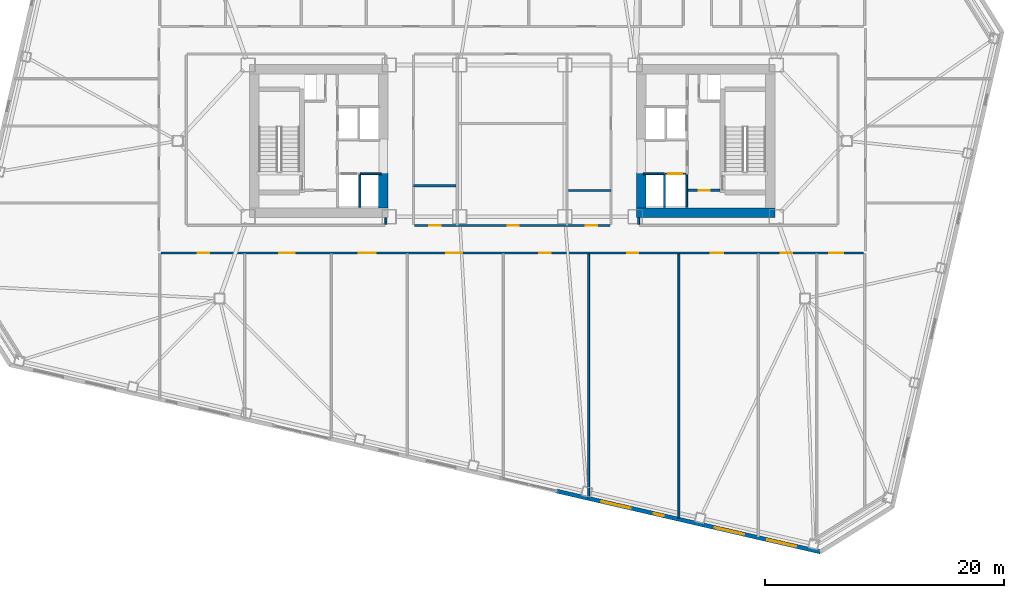
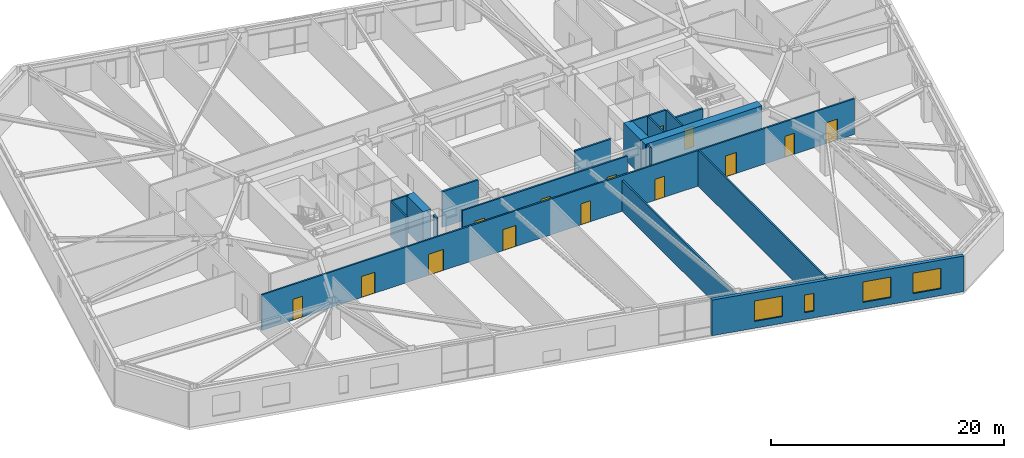
# One storey, part 11 of 20: 19 walls, 14 doors, 4 windows, 18 openings.
"""IFC4 building model written with IfcOpenShell, lengths in metres."""

from ifc_helpers import new_model, si_unit, direction, frame, frame_2d, origin, place, context, subcontext, project, spatial, rectangle, extrude, material, layer, layer_set, type_object, element, fill, save


model = new_model("IFC4")

# Units and contexts
model_context = context("Model", 3, precision=1e-05, world=origin(), true_north=direction((0.0, 1.0)))
body_context = subcontext(model_context, "Body", "Model", "MODEL_VIEW")
ifc_project = project(units=[si_unit("LENGTHUNIT", "METRE"), si_unit("AREAUNIT", "SQUARE_METRE"), si_unit("VOLUMEUNIT", "CUBIC_METRE"), si_unit("PLANEANGLEUNIT", "RADIAN"), si_unit("MASSUNIT", "GRAM", prefix="KILO")], contexts=[model_context])

# Site, building, storey
site_placement = place(None, origin())
site = spatial("IfcSite", under=ifc_project, at=site_placement, CompositionType="ELEMENT")
building_placement = place(site_placement, origin())
building = spatial("IfcBuilding", under=site, at=building_placement, Name="Tavrogorsk Clinical Tower", CompositionType="ELEMENT")
storey_placement = place(building_placement, frame((0.0, 0.0, 67.39990234375)))
storey = spatial("IfcBuildingStorey", under=building, at=storey_placement, Name="L14", CompositionType="ELEMENT", Elevation=67.39990234375)

# Wall, opening, door
ifc_material_1 = material(Name="Concrete B60", Category="concrete")
ifc_layer_1 = layer(ifc_material_1, 0.199951171875)
ifc_layer_set_1 = layer_set([ifc_layer_1], Name="Concrete B60")
wall_type_1 = type_object("IfcWallType", Name="CoreFireWall_200", PredefinedType="SOLIDWALL", material=ifc_layer_set_1)
wall_1_placement = place(storey_placement, frame((14.719970703125, -4.139892578125, 0.0), z_axis=(0.0, 0.0, 1.0), x_axis=(1.0, 0.0, 0.0)))
wall_1 = element("IfcWall", 1, at=wall_1_placement, inside=storey, type_object=wall_type_1, Name="L14 Core East South Core Room Fire Wall", PredefinedType="SOLIDWALL", context=body_context, shape_type="SweptSolid", body=[
    extrude(rectangle(XDim=2.659912109375, YDim=0.199951171875, at=frame_2d((1.330078125, 0.0))), origin(), (0.0, 0.0, 1.0), 3.739990234375),
])
opening_1_placement = place(wall_1_placement, frame((0.8798828125, 0.0, 0.0)))
opening_1 = element("IfcOpeningElement", 2, at=opening_1_placement, cuts=wall_1, Name="Opening ID-02", PredefinedType="OPENING", context=body_context, shape_type="SweptSolid", body=[
    extrude(rectangle(XDim=0.949951171875, YDim=2.199951171875, at=frame_2d((0.47509765625, 1.10009765625))), frame((0.0, 0.10986328125, 0.0), z_axis=(0.0, -1.0, 0.0), x_axis=(1.0, 0.0, 0.0)), (0.0, 0.0, 1.0), 0.219970703125),
])
ifc_material_2 = material(Name="Laminated timber leaf on aluminium frame", Category="wood")
door_type_1 = type_object("IfcDoorType", Name="InteriorDoor_ID02_950", OperationType="NOTDEFINED", PredefinedType="DOOR", material=ifc_material_2)
door_1_placement = place(opening_1_placement, origin())
door_1 = element("IfcDoor", 3, at=door_1_placement, inside=storey, type_object=door_type_1, Name="L14 Core East South Core Room Door", OperationType="SINGLE_SWING_RIGHT", OverallHeight=2.199951171875, OverallWidth=0.949951171875, PredefinedType="DOOR", context=body_context, shape_type="SweptSolid", body=[
    extrude(rectangle(XDim=0.949951171875, YDim=2.199951171875, at=frame_2d((0.47509765625, 1.10009765625))), frame((0.0, 0.02490234375, 0.0), z_axis=(0.0, -1.0, 0.0), x_axis=(1.0, 0.0, 0.0)), (0.0, 0.0, 1.0), 0.050048828125),
])
fill(opening_1, door_1)

# Wall, openings, doors
ifc_material_3 = material(Name="Lightweight concrete blockwork B15", Category="masonry")
ifc_layer_2 = layer(ifc_material_3, 0.159912109375)
ifc_layer_set_2 = layer_set([ifc_layer_2], Name="Lightweight concrete blockwork B15")
wall_type_2 = type_object("IfcWallType", Name="PartitionWall_160", PredefinedType="PARTITIONING", material=ifc_layer_set_2)
wall_2_placement = place(storey_placement, frame((29.4150390625, -9.3798828125, 0.0), z_axis=(0.0, 0.0, 1.0), x_axis=(-1.0, 0.0, 0.0)))
wall_2 = element("IfcWall", 4, at=wall_2_placement, inside=storey, type_object=wall_type_2, Name="L14 Corridor Partition 08", PredefinedType="PARTITIONING", context=body_context, shape_type="SweptSolid", body=[
    extrude(rectangle(XDim=58.830078125, YDim=0.159912109375, at=frame_2d((29.4150390625, 0.0))), origin(), (0.0, 0.0, 1.0), 3.739990234375),
])
opening_2_placement = place(wall_2_placement, frame((54.781005859375, 0.0, 0.0)))
opening_2 = element("IfcOpeningElement", 5, at=opening_2_placement, cuts=wall_2, Name="Opening ID-02", PredefinedType="OPENING", context=body_context, shape_type="SweptSolid", body=[
    extrude(rectangle(XDim=0.949951171875, YDim=2.199951171875, at=frame_2d((0.47509765625, 1.10009765625))), frame((0.0, 0.08984375, 0.0), z_axis=(0.0, -1.0, 0.0), x_axis=(1.0, 0.0, 0.0)), (0.0, 0.0, 1.0), 0.179931640625),
])
opening_3_placement = place(wall_2_placement, frame((47.625, 0.0, 0.0)))
opening_3 = element("IfcOpeningElement", 6, at=opening_3_placement, cuts=wall_2, Name="Opening ID-01", PredefinedType="OPENING", context=body_context, shape_type="SweptSolid", body=[
    extrude(rectangle(XDim=1.300048828125, YDim=2.199951171875, at=frame_2d((0.64990234375, 1.10009765625))), frame((0.0, 0.08984375, 0.0), z_axis=(0.0, -1.0, 0.0), x_axis=(1.0, 0.0, 0.0)), (0.0, 0.0, 1.0), 0.179931640625),
])
opening_4_placement = place(wall_2_placement, frame((40.824951171875, 0.0, 0.0)))
opening_4 = element("IfcOpeningElement", 7, at=opening_4_placement, cuts=wall_2, Name="Opening ID-05", PredefinedType="OPENING", context=body_context, shape_type="SweptSolid", body=[
    extrude(rectangle(XDim=1.449951171875, YDim=2.199951171875, at=frame_2d((0.72509765625, 1.10009765625))), frame((0.0, 0.08984375, 0.0), z_axis=(0.0, -1.0, 0.0), x_axis=(1.0, 0.0, 0.0)), (0.0, 0.0, 1.0), 0.179931640625),
])
opening_5_placement = place(wall_2_placement, frame((33.625, 0.0, 0.0)))
opening_5 = element("IfcOpeningElement", 8, at=opening_5_placement, cuts=wall_2, Name="Opening ID-01", PredefinedType="OPENING", context=body_context, shape_type="SweptSolid", body=[
    extrude(rectangle(XDim=1.300048828125, YDim=2.199951171875, at=frame_2d((0.64990234375, 1.10009765625))), frame((0.0, 0.08984375, 0.0), z_axis=(0.0, -1.0, 0.0), x_axis=(1.0, 0.0, 0.0)), (0.0, 0.0, 1.0), 0.179931640625),
])
opening_6_placement = place(wall_2_placement, frame((26.199951171875, 0.0, 0.0)))
opening_6 = element("IfcOpeningElement", 9, at=opening_6_placement, cuts=wall_2, Name="Opening ID-02", PredefinedType="OPENING", context=body_context, shape_type="SweptSolid", body=[
    extrude(rectangle(XDim=0.949951171875, YDim=2.199951171875, at=frame_2d((0.47509765625, 1.10009765625))), frame((0.0, 0.08984375, 0.0), z_axis=(0.0, -1.0, 0.0), x_axis=(1.0, 0.0, 0.0)), (0.0, 0.0, 1.0), 0.179931640625),
])
opening_7_placement = place(wall_2_placement, frame((18.85009765625, 0.0, 0.0)))
opening_7 = element("IfcOpeningElement", 10, at=opening_7_placement, cuts=wall_2, Name="Opening ID-02", PredefinedType="OPENING", context=body_context, shape_type="SweptSolid", body=[
    extrude(rectangle(XDim=0.949951171875, YDim=2.199951171875, at=frame_2d((0.47509765625, 1.10009765625))), frame((0.0, 0.08984375, 0.0), z_axis=(0.0, -1.0, 0.0), x_axis=(1.0, 0.0, 0.0)), (0.0, 0.0, 1.0), 0.179931640625),
])
opening_8_placement = place(wall_2_placement, frame((11.75, 0.0, 0.0)))
opening_8 = element("IfcOpeningElement", 11, at=opening_8_placement, cuts=wall_2, Name="Opening ID-04", PredefinedType="OPENING", context=body_context, shape_type="SweptSolid", body=[
    extrude(rectangle(XDim=1.050048828125, YDim=2.199951171875, at=frame_2d((0.52490234375, 1.10009765625))), frame((0.0, 0.08984375, 0.0), z_axis=(0.0, -1.0, 0.0), x_axis=(1.0, 0.0, 0.0)), (0.0, 0.0, 1.0), 0.179931640625),
])
opening_9_placement = place(wall_2_placement, frame((5.97509765625, 0.0, 0.0)))
opening_9 = element("IfcOpeningElement", 12, at=opening_9_placement, cuts=wall_2, Name="Opening ID-02", PredefinedType="OPENING", context=body_context, shape_type="SweptSolid", body=[
    extrude(rectangle(XDim=0.949951171875, YDim=2.199951171875, at=frame_2d((0.47509765625, 1.10009765625))), frame((0.0, 0.08984375, 0.0), z_axis=(0.0, -1.0, 0.0), x_axis=(1.0, 0.0, 0.0)), (0.0, 0.0, 1.0), 0.179931640625),
])
opening_10_placement = place(wall_2_placement, frame((1.718994140625, 0.0, 0.0)))
opening_10 = element("IfcOpeningElement", 13, at=opening_10_placement, cuts=wall_2, Name="Opening ID-06", PredefinedType="OPENING", context=body_context, shape_type="SweptSolid", body=[
    extrude(rectangle(XDim=1.14990234375, YDim=2.199951171875, at=frame_2d((0.574951171875, 1.10009765625))), frame((0.0, 0.08984375, 0.0), z_axis=(0.0, -1.0, 0.0), x_axis=(1.0, 0.0, 0.0)), (0.0, 0.0, 1.0), 0.179931640625),
])
ifc_material_4 = material(Name="Antibacterial HPL consultation door on aluminium frame", Category="aluminium")
door_type_2 = type_object("IfcDoorType", Name="ConsultDoor_ID04_1050", OperationType="NOTDEFINED", PredefinedType="DOOR", material=ifc_material_4)
door_2_placement = place(opening_8_placement, origin())
door_2 = element("IfcDoor", 14, at=door_2_placement, inside=storey, type_object=door_type_2, Name="L14 South Outpatient Procedure Suite 04B Door", OperationType="SINGLE_SWING_RIGHT", OverallHeight=2.199951171875, OverallWidth=1.050048828125, PredefinedType="DOOR", context=body_context, shape_type="SweptSolid", body=[
    extrude(rectangle(XDim=1.050048828125, YDim=2.199951171875, at=frame_2d((0.52490234375, 1.10009765625))), frame((0.0, 0.02490234375, 0.0), z_axis=(0.0, -1.0, 0.0), x_axis=(1.0, 0.0, 0.0)), (0.0, 0.0, 1.0), 0.050048828125),
])
fill(opening_8, door_2)
ifc_material_5 = material(Name="Antibacterial HPL bariatric ward double door")
door_type_3 = type_object("IfcDoorType", Name="DoubleWardDoor_ID05_1450", OperationType="DOUBLE_SWING_LEFT", PredefinedType="DOOR", material=ifc_material_5)
door_3_placement = place(opening_4_placement, origin())
door_3 = element("IfcDoor", 15, at=door_3_placement, inside=storey, type_object=door_type_3, Name="L14 South Acute Medical Ward 02B Door", OperationType="DOUBLE_SWING_LEFT", OverallHeight=2.199951171875, OverallWidth=1.449951171875, PredefinedType="DOOR", context=body_context, shape_type="SweptSolid", body=[
    extrude(rectangle(XDim=1.449951171875, YDim=2.199951171875, at=frame_2d((0.72509765625, 1.10009765625))), frame((0.0, 0.02490234375, 0.0), z_axis=(0.0, -1.0, 0.0), x_axis=(1.0, 0.0, 0.0)), (0.0, 0.0, 1.0), 0.050048828125),
])
fill(opening_4, door_3)
door_4_placement = place(opening_2_placement, origin())
door_4 = element("IfcDoor", 16, at=door_4_placement, inside=storey, type_object=door_type_1, Name="L14 South Staff Rest & Nourishment Lounge 01 Door", OperationType="SINGLE_SWING_RIGHT", OverallHeight=2.199951171875, OverallWidth=0.949951171875, PredefinedType="DOOR", context=body_context, shape_type="SweptSolid", body=[
    extrude(rectangle(XDim=0.949951171875, YDim=2.199951171875, at=frame_2d((0.47509765625, 1.10009765625))), frame((0.0, 0.02490234375, 0.0), z_axis=(0.0, -1.0, 0.0), x_axis=(1.0, 0.0, 0.0)), (0.0, 0.0, 1.0), 0.050048828125),
])
fill(opening_2, door_4)
door_5_placement = place(opening_6_placement, origin())
door_5 = element("IfcDoor", 17, at=door_5_placement, inside=storey, type_object=door_type_1, Name="L14 South Clean Medication & Prep Room 03B Door", OperationType="SINGLE_SWING_RIGHT", OverallHeight=2.199951171875, OverallWidth=0.949951171875, PredefinedType="DOOR", context=body_context, shape_type="SweptSolid", body=[
    extrude(rectangle(XDim=0.949951171875, YDim=2.199951171875, at=frame_2d((0.47509765625, 1.10009765625))), frame((0.0, 0.02490234375, 0.0), z_axis=(0.0, -1.0, 0.0), x_axis=(1.0, 0.0, 0.0)), (0.0, 0.0, 1.0), 0.050048828125),
])
fill(opening_6, door_5)
door_6_placement = place(opening_7_placement, origin())
door_6 = element("IfcDoor", 18, at=door_6_placement, inside=storey, type_object=door_type_1, Name="L14 South Soiled Utility & Sluice Room 04A Door", OperationType="SINGLE_SWING_LEFT", OverallHeight=2.199951171875, OverallWidth=0.949951171875, PredefinedType="DOOR", context=body_context, shape_type="SweptSolid", body=[
    extrude(rectangle(XDim=0.949951171875, YDim=2.199951171875, at=frame_2d((0.47509765625, 1.10009765625))), frame((0.0, 0.02490234375, 0.0), z_axis=(0.0, -1.0, 0.0), x_axis=(1.0, 0.0, 0.0)), (0.0, 0.0, 1.0), 0.050048828125),
])
fill(opening_7, door_6)
door_7_placement = place(opening_9_placement, origin())
door_7 = element("IfcDoor", 19, at=door_7_placement, inside=storey, type_object=door_type_1, Name="L14 South Clinical Case Seminar Room 05A Door", OperationType="SINGLE_SWING_LEFT", OverallHeight=2.199951171875, OverallWidth=0.949951171875, PredefinedType="DOOR", context=body_context, shape_type="SweptSolid", body=[
    extrude(rectangle(XDim=0.949951171875, YDim=2.199951171875, at=frame_2d((0.47509765625, 1.10009765625))), frame((0.0, 0.02490234375, 0.0), z_axis=(0.0, -1.0, 0.0), x_axis=(1.0, 0.0, 0.0)), (0.0, 0.0, 1.0), 0.050048828125),
])
fill(opening_9, door_7)
ifc_material_6 = material(Name="Antibacterial HPL procedure door on aluminium frame", Category="aluminium")
door_type_4 = type_object("IfcDoorType", Name="LabDoor_ID06_1150", OperationType="NOTDEFINED", PredefinedType="DOOR", material=ifc_material_6)
door_8_placement = place(opening_10_placement, origin())
door_8 = element("IfcDoor", 20, at=door_8_placement, inside=storey, type_object=door_type_4, Name="L14 South Cardiology Diagnostics Room 05B Door", OperationType="SINGLE_SWING_RIGHT", OverallHeight=2.199951171875, OverallWidth=1.14990234375, PredefinedType="DOOR", context=body_context, shape_type="SweptSolid", body=[
    extrude(rectangle(XDim=1.14990234375, YDim=2.199951171875, at=frame_2d((0.574951171875, 1.10009765625))), frame((0.0, 0.02490234375, 0.0), z_axis=(0.0, -1.0, 0.0), x_axis=(1.0, 0.0, 0.0)), (0.0, 0.0, 1.0), 0.050048828125),
])
fill(opening_10, door_8)
ifc_material_7 = material(Name="Antibacterial HPL medical leaf on aluminium frame", Category="aluminium")
door_type_5 = type_object("IfcDoorType", Name="WardBedDoor_ID01_1300", OperationType="NOTDEFINED", PredefinedType="DOOR", material=ifc_material_7)
door_9_placement = place(opening_3_placement, origin())
door_9 = element("IfcDoor", 21, at=door_9_placement, inside=storey, type_object=door_type_5, Name="L14 South Bariatric Observation Ward 02A Door", OperationType="SINGLE_SWING_LEFT", OverallHeight=2.199951171875, OverallWidth=1.300048828125, PredefinedType="DOOR", context=body_context, shape_type="SweptSolid", body=[
    extrude(rectangle(XDim=1.300048828125, YDim=2.199951171875, at=frame_2d((0.64990234375, 1.10009765625))), frame((0.0, 0.02490234375, 0.0), z_axis=(0.0, -1.0, 0.0), x_axis=(1.0, 0.0, 0.0)), (0.0, 0.0, 1.0), 0.050048828125),
])
fill(opening_3, door_9)
door_10_placement = place(opening_5_placement, origin())
door_10 = element("IfcDoor", 22, at=door_10_placement, inside=storey, type_object=door_type_5, Name="L14 South Surgical Step-Down Ward 03A Door", OperationType="SINGLE_SWING_LEFT", OverallHeight=2.199951171875, OverallWidth=1.300048828125, PredefinedType="DOOR", context=body_context, shape_type="SweptSolid", body=[
    extrude(rectangle(XDim=1.300048828125, YDim=2.199951171875, at=frame_2d((0.64990234375, 1.10009765625))), frame((0.0, 0.02490234375, 0.0), z_axis=(0.0, -1.0, 0.0), x_axis=(1.0, 0.0, 0.0)), (0.0, 0.0, 1.0), 0.050048828125),
])
fill(opening_5, door_10)

# Wall
wall_3_placement = place(storey_placement, frame((10.580078125, -6.419921875, 0.0), z_axis=(0.0, 0.0, 1.0), x_axis=(0.0, -1.0, 0.0)))
element("IfcWall", 23, at=wall_3_placement, inside=storey, type_object=wall_type_2, Name="L14 Corridor Partition 11", PredefinedType="PARTITIONING", context=body_context, shape_type="SweptSolid", body=[
    extrude(rectangle(XDim=0.565185546875, YDim=0.159912109375, at=frame_2d((0.28271484375, 0.0))), origin(), (0.0, 0.0, 1.0), 3.739990234375),
])

# Wall, openings, doors
wall_4_placement = place(storey_placement, frame((-8.18505859375, -7.070068359375, 0.0), z_axis=(0.0, 0.0, 1.0), x_axis=(1.0, 0.0, 0.0)))
wall_4 = element("IfcWall", 24, at=wall_4_placement, inside=storey, type_object=wall_type_2, Name="L14 Corridor Partition 17", PredefinedType="PARTITIONING", context=body_context, shape_type="SweptSolid", body=[
    extrude(rectangle(XDim=16.3701171875, YDim=0.159912109375, at=frame_2d((8.18505859375, 0.0))), origin(), (0.0, 0.0, 1.0), 3.739990234375),
])
opening_11_placement = place(wall_4_placement, frame((1.254150390625, 0.0, 0.0)))
opening_11 = element("IfcOpeningElement", 25, at=opening_11_placement, cuts=wall_4, Name="Opening ID-02", PredefinedType="OPENING", context=body_context, shape_type="SweptSolid", body=[
    extrude(rectangle(XDim=0.949951171875, YDim=2.199951171875, at=frame_2d((0.47509765625, 1.10009765625))), frame((0.0, 0.08984375, 0.0), z_axis=(0.0, -1.0, 0.0), x_axis=(1.0, 0.0, 0.0)), (0.0, 0.0, 1.0), 0.179931640625),
])
opening_12_placement = place(wall_4_placement, frame((7.794921875, 0.0, 0.0)))
opening_12 = element("IfcOpeningElement", 26, at=opening_12_placement, cuts=wall_4, Name="Opening ID-02", PredefinedType="OPENING", context=body_context, shape_type="SweptSolid", body=[
    extrude(rectangle(XDim=0.949951171875, YDim=2.199951171875, at=frame_2d((0.47509765625, 1.10009765625))), frame((0.0, 0.08984375, 0.0), z_axis=(0.0, -1.0, 0.0), x_axis=(1.0, 0.0, 0.0)), (0.0, 0.0, 1.0), 0.179931640625),
])
opening_13_placement = place(wall_4_placement, frame((14.3359375, 0.0, 0.0)))
opening_13 = element("IfcOpeningElement", 27, at=opening_13_placement, cuts=wall_4, Name="Opening ID-02", PredefinedType="OPENING", context=body_context, shape_type="SweptSolid", body=[
    extrude(rectangle(XDim=0.949951171875, YDim=2.199951171875, at=frame_2d((0.47509765625, 1.10009765625))), frame((0.0, 0.08984375, 0.0), z_axis=(0.0, -1.0, 0.0), x_axis=(1.0, 0.0, 0.0)), (0.0, 0.0, 1.0), 0.179931640625),
])
door_11_placement = place(opening_11_placement, origin())
door_11 = element("IfcDoor", 28, at=door_11_placement, inside=storey, type_object=door_type_1, Name="L14 Accessible Patient Lavatory Door", OperationType="SINGLE_SWING_LEFT", OverallHeight=2.199951171875, OverallWidth=0.949951171875, PredefinedType="DOOR", context=body_context, shape_type="SweptSolid", body=[
    extrude(rectangle(XDim=0.949951171875, YDim=2.199951171875, at=frame_2d((0.47509765625, 1.10009765625))), frame((0.0, 0.02490234375, 0.0), z_axis=(0.0, -1.0, 0.0), x_axis=(1.0, 0.0, 0.0)), (0.0, 0.0, 1.0), 0.050048828125),
])
fill(opening_11, door_11)
door_12_placement = place(opening_12_placement, origin())
door_12 = element("IfcDoor", 29, at=door_12_placement, inside=storey, type_object=door_type_1, Name="L14 Multidisciplinary Conference Room Door", OperationType="SINGLE_SWING_LEFT", OverallHeight=2.199951171875, OverallWidth=0.949951171875, PredefinedType="DOOR", context=body_context, shape_type="SweptSolid", body=[
    extrude(rectangle(XDim=0.949951171875, YDim=2.199951171875, at=frame_2d((0.47509765625, 1.10009765625))), frame((0.0, 0.02490234375, 0.0), z_axis=(0.0, -1.0, 0.0), x_axis=(1.0, 0.0, 0.0)), (0.0, 0.0, 1.0), 0.050048828125),
])
fill(opening_12, door_12)
door_13_placement = place(opening_13_placement, origin())
door_13 = element("IfcDoor", 30, at=door_13_placement, inside=storey, type_object=door_type_1, Name="L14 Staff & Visitor Accessible WC Door", OperationType="SINGLE_SWING_LEFT", OverallHeight=2.199951171875, OverallWidth=0.949951171875, PredefinedType="DOOR", context=body_context, shape_type="SweptSolid", body=[
    extrude(rectangle(XDim=0.949951171875, YDim=2.199951171875, at=frame_2d((0.47509765625, 1.10009765625))), frame((0.0, 0.02490234375, 0.0), z_axis=(0.0, -1.0, 0.0), x_axis=(1.0, 0.0, 0.0)), (0.0, 0.0, 1.0), 0.050048828125),
])
fill(opening_13, door_13)

# Walls
wall_5_placement = place(storey_placement, frame((-10.580078125, -6.985107421875, 0.0), z_axis=(0.0, 0.0, 1.0), x_axis=(0.0, 1.0, 0.0)))
element("IfcWall", 31, at=wall_5_placement, inside=storey, type_object=wall_type_2, Name="L14 Corridor Partition 18", PredefinedType="PARTITIONING", context=body_context, shape_type="SweptSolid", body=[
    extrude(rectangle(XDim=0.565185546875, YDim=0.159912109375, at=frame_2d((0.28271484375, 0.0))), origin(), (0.0, 0.0, 1.0), 3.739990234375),
])
wall_6_placement = place(storey_placement, frame((6.39990234375, -29.858642578125, 0.0), z_axis=(0.0, 0.0, 1.0), x_axis=(0.0, 1.0, 0.0)))
element("IfcWall", 32, at=wall_6_placement, inside=storey, type_object=wall_type_2, Name="L14 South Room Partition 3", PredefinedType="PARTITIONING", context=body_context, shape_type="SweptSolid", body=[
    extrude(rectangle(XDim=20.3935546875, YDim=0.159912109375, at=frame_2d((10.19677734375, 0.0))), origin(), (0.0, 0.0, 1.0), 3.235107421875),
])
wall_7_placement = place(storey_placement, frame((13.949951171875, -31.601806640625, 0.0), z_axis=(0.0, 0.0, 1.0), x_axis=(0.0, 1.0, 0.0)))
element("IfcWall", 33, at=wall_7_placement, inside=storey, type_object=wall_type_2, Name="L14 South Sub-Partition 4", PredefinedType="PARTITIONING", context=body_context, shape_type="SweptSolid", body=[
    extrude(rectangle(XDim=22.13671875, YDim=0.159912109375, at=frame_2d((11.068359375, 0.0))), origin(), (0.0, 0.0, 1.0), 3.739990234375),
])
ifc_material_8 = material(Name="Lightweight concrete blockwork B20", Category="masonry")
ifc_layer_3 = layer(ifc_material_8, 0.179931640625)
ifc_layer_set_3 = layer_set([ifc_layer_3], Name="Lightweight concrete blockwork B20")
wall_type_3 = type_object("IfcWallType", Name="PartitionWall_180", PredefinedType="PARTITIONING", material=ifc_layer_set_3)
for number, where, z_axis, x_axis, name in (
    (34, (-8.264892578125, -3.75, 0.0), (0.0, 0.0, 1.0), (1.0, 0.0, 0.0), "L14 Central Spine Partition 4"),
    (35, (4.695068359375, -4.14990234375, 0.0), (0.0, 0.0, 1.0), (1.0, 0.0, 0.0), "L14 Central Spine Partition 5"),
):
    element("IfcWall", number, at=place(storey_placement, frame(where, z_axis=z_axis, x_axis=x_axis)), inside=storey, type_object=wall_type_3, Name=name, PredefinedType="PARTITIONING", context=body_context, shape_type="SweptSolid", body=[
        extrude(rectangle(XDim=3.56982421875, YDim=0.179931640625, at=frame_2d((1.784912109375, 0.0))), origin(), (0.0, 0.0, 1.0), 3.739990234375),
    ])

# Wall, openings, windows
ifc_material_9 = material(Name="Precast concrete B45 with limestone cladding", Category="masonry")
ifc_layer_4 = layer(ifc_material_9, 0.340087890625)
ifc_layer_set_4 = layer_set([ifc_layer_4], Name="Precast concrete B45 with limestone cladding")
wall_type_4 = type_object("IfcWallType", Name="PrecastLimestoneWall_340", PredefinedType="STANDARD", material=ifc_layer_set_4)
wall_8_placement = place(storey_placement, frame((3.716796875, -29.31103515625, 0.0), z_axis=(0.0, 0.0, 1.0), x_axis=(0.97436993772, -0.224951604723, 0.0)))
wall_8 = element("IfcWall", 36, at=wall_8_placement, inside=storey, type_object=wall_type_4, Name="L14 S Limestone Facade Wall 3", PredefinedType="STANDARD", context=body_context, shape_type="SweptSolid", body=[
    extrude(rectangle(XDim=22.6513671875, YDim=0.340087890625, at=frame_2d((11.32568359375, 0.0))), origin(), (0.0, 0.0, 1.0), 3.739990234375),
])
opening_14_placement = place(wall_8_placement, frame((3.8564453125, 0.0, 0.719970703125)))
opening_14 = element("IfcOpeningElement", 37, at=opening_14_placement, cuts=wall_8, Name="Opening WN-11", PredefinedType="OPENING", context=body_context, shape_type="SweptSolid", body=[
    extrude(rectangle(XDim=2.5, YDim=2.14990234375, at=frame_2d((1.25, 1.074951171875))), frame((0.0, 0.179931640625, 0.0), z_axis=(0.0, -1.0, 0.0), x_axis=(1.0, 0.0, 0.0)), (0.0, 0.0, 1.0), 0.360107421875),
])
opening_15_placement = place(wall_8_placement, frame((8.3408203125, 0.0, 0.719970703125)))
opening_15 = element("IfcOpeningElement", 38, at=opening_15_placement, cuts=wall_8, Name="Opening WN-06", PredefinedType="OPENING", context=body_context, shape_type="SweptSolid", body=[
    extrude(rectangle(XDim=0.85009765625, YDim=1.85009765625, at=frame_2d((0.425048828125, 0.925048828125))), frame((0.0, 0.179931640625, 0.0), z_axis=(0.0, -1.0, 0.0), x_axis=(1.0, 0.0, 0.0)), (0.0, 0.0, 1.0), 0.360107421875),
])
opening_16_placement = place(wall_8_placement, frame((13.60498046875, 0.0, 0.719970703125)))
opening_16 = element("IfcOpeningElement", 39, at=opening_16_placement, cuts=wall_8, Name="Opening WN-11", PredefinedType="OPENING", context=body_context, shape_type="SweptSolid", body=[
    extrude(rectangle(XDim=2.5, YDim=2.14990234375, at=frame_2d((1.25, 1.074951171875))), frame((0.0, 0.179931640625, 0.0), z_axis=(0.0, -1.0, 0.0), x_axis=(1.0, 0.0, 0.0)), (0.0, 0.0, 1.0), 0.360107421875),
])
opening_17_placement = place(wall_8_placement, frame((18.08935546875, 0.0, 0.719970703125)))
opening_17 = element("IfcOpeningElement", 40, at=opening_17_placement, cuts=wall_8, Name="Opening WN-11", PredefinedType="OPENING", context=body_context, shape_type="SweptSolid", body=[
    extrude(rectangle(XDim=2.5, YDim=2.14990234375, at=frame_2d((1.25, 1.074951171875))), frame((0.0, 0.179931640625, 0.0), z_axis=(0.0, -1.0, 0.0), x_axis=(1.0, 0.0, 0.0)), (0.0, 0.0, 1.0), 0.360107421875),
])
ifc_material_10 = material(Name="Thermally broken aluminium frame and triple IGU", Category="aluminium")
window_type_1 = type_object("IfcWindowType", Name="MullionSubWin_850x1850", PartitioningType="SINGLE_PANEL", PredefinedType="WINDOW", material=ifc_material_10)
window_1_placement = place(opening_15_placement, origin())
window_1 = element("IfcWindow", 41, at=window_1_placement, inside=storey, type_object=window_type_1, Name="L14 S Mullion Split Window 08A", OverallHeight=1.85009765625, OverallWidth=0.85009765625, PartitioningType="SINGLE_PANEL", PredefinedType="WINDOW", context=body_context, shape_type="SweptSolid", body=[
    extrude(rectangle(XDim=0.85009765625, YDim=1.85009765625, at=frame_2d((0.425048828125, 0.925048828125))), frame((0.0, 0.030029296875, 0.0), z_axis=(0.0, -1.0, 0.0), x_axis=(1.0, 0.0, 0.0)), (0.0, 0.0, 1.0), 0.06005859375),
])
fill(opening_15, window_1)
ifc_material_11 = material(Name="Thermally broken aluminium frame and triple IGU", Category="aluminium")
window_type_2 = type_object("IfcWindowType", Name="StepDownWin_2500x2150", PartitioningType="TRIPLE_PANEL_HORIZONTAL", PredefinedType="WINDOW", material=ifc_material_11)
window_2_placement = place(opening_14_placement, origin())
window_2 = element("IfcWindow", 42, at=window_2_placement, inside=storey, type_object=window_type_2, Name="L14 S Chicago Window 07", OverallHeight=2.14990234375, OverallWidth=2.5, PartitioningType="SINGLE_PANEL", PredefinedType="WINDOW", context=body_context, shape_type="SweptSolid", body=[
    extrude(rectangle(XDim=2.5, YDim=2.14990234375, at=frame_2d((1.25, 1.074951171875))), frame((0.0, 0.030029296875, 0.0), z_axis=(0.0, -1.0, 0.0), x_axis=(1.0, 0.0, 0.0)), (0.0, 0.0, 1.0), 0.06005859375),
])
fill(opening_14, window_2)
window_3_placement = place(opening_16_placement, origin())
window_3 = element("IfcWindow", 43, at=window_3_placement, inside=storey, type_object=window_type_2, Name="L14 S Chicago Window 09", OverallHeight=2.14990234375, OverallWidth=2.5, PartitioningType="SINGLE_PANEL", PredefinedType="WINDOW", context=body_context, shape_type="SweptSolid", body=[
    extrude(rectangle(XDim=2.5, YDim=2.14990234375, at=frame_2d((1.25, 1.074951171875))), frame((0.0, 0.030029296875, 0.0), z_axis=(0.0, -1.0, 0.0), x_axis=(1.0, 0.0, 0.0)), (0.0, 0.0, 1.0), 0.06005859375),
])
fill(opening_16, window_3)
window_4_placement = place(opening_17_placement, origin())
window_4 = element("IfcWindow", 44, at=window_4_placement, inside=storey, type_object=window_type_2, Name="L14 S Chicago Window 10", OverallHeight=2.14990234375, OverallWidth=2.5, PartitioningType="SINGLE_PANEL", PredefinedType="WINDOW", context=body_context, shape_type="SweptSolid", body=[
    extrude(rectangle(XDim=2.5, YDim=2.14990234375, at=frame_2d((1.25, 1.074951171875))), frame((0.0, 0.030029296875, 0.0), z_axis=(0.0, -1.0, 0.0), x_axis=(1.0, 0.0, 0.0)), (0.0, 0.0, 1.0), 0.06005859375),
])
fill(opening_17, window_4)

# Walls
ifc_material_12 = material(Name="Lightweight concrete blockwork B25", Category="masonry")
ifc_layer_5 = layer(ifc_material_12, 0.159912109375)
ifc_layer_set_5 = layer_set([ifc_layer_5], Name="Lightweight concrete blockwork B25")
wall_type_5 = type_object("IfcWallType", Name="ShaftWall_160", PredefinedType="PARTITIONING", material=ifc_layer_set_5)
wall_9_placement = place(storey_placement, frame((-12.75, -5.5400390625, 0.0), z_axis=(0.0, 0.0, 1.0), x_axis=(0.0, 1.0, 0.0)))
element("IfcWall", 45, at=wall_9_placement, inside=storey, type_object=wall_type_5, Name="L14 LP-L1 Lift Hoistway Divider Wall", PredefinedType="PARTITIONING", context=body_context, shape_type="SweptSolid", body=[
    extrude(rectangle(XDim=2.699951171875, YDim=0.159912109375, at=frame_2d((1.35009765625, 0.0))), origin(), (0.0, 0.0, 1.0), 3.739990234375),
])
wall_10_placement = place(storey_placement, frame((-12.72998046875, -2.75, 0.0), z_axis=(0.0, 0.0, 1.0), x_axis=(1.0, 0.0, 0.0)))
element("IfcWall", 46, at=wall_10_placement, inside=storey, type_object=wall_type_5, Name="L14 LP-M1 Lift Shaft Portal Wall", PredefinedType="PARTITIONING", context=body_context, shape_type="SweptSolid", body=[
    extrude(rectangle(XDim=1.760009765625, YDim=0.159912109375, at=frame_2d((0.8798828125, 0.0))), origin(), (0.0, 0.0, 1.0), 3.739990234375),
])

# Wall, opening, door
wall_11_placement = place(storey_placement, frame((12.77001953125, -2.75, 0.0), z_axis=(0.0, 0.0, 1.0), x_axis=(1.0, 0.0, 0.0)))
wall_11 = element("IfcWall", 47, at=wall_11_placement, inside=storey, type_object=wall_type_5, Name="L14 LP-L2 Lift Shaft Portal Wall", PredefinedType="PARTITIONING", context=body_context, shape_type="SweptSolid", body=[
    extrude(rectangle(XDim=1.760009765625, YDim=0.159912109375, at=frame_2d((0.8798828125, 0.0))), origin(), (0.0, 0.0, 1.0), 3.739990234375),
])
opening_18_placement = place(wall_11_placement, frame((0.280029296875, 0.0, 0.0)))
opening_18 = element("IfcOpeningElement", 48, at=opening_18_placement, cuts=wall_11, Name="Opening LD", PredefinedType="OPENING", context=body_context, shape_type="SweptSolid", body=[
    extrude(rectangle(XDim=1.199951171875, YDim=2.199951171875, at=frame_2d((0.60009765625, 1.10009765625))), frame((0.0, 0.08984375, 0.0), z_axis=(0.0, -1.0, 0.0), x_axis=(1.0, 0.0, 0.0)), (0.0, 0.0, 1.0), 0.179931640625),
])
ifc_material_13 = material(Name="Brushed stainless steel AISI 304 sliding doors", Category="steel")
door_type_6 = type_object("IfcDoorType", Name="LiftLandingDoor_LD_1200", OperationType="SLIDING_TO_LEFT", PredefinedType="DOOR", material=ifc_material_13)
door_14_placement = place(opening_18_placement, origin())
door_14 = element("IfcDoor", 49, at=door_14_placement, inside=storey, type_object=door_type_6, Name="L14 LP-L2 Sliding Lift Landing Door", OperationType="SLIDING_TO_LEFT", OverallHeight=2.199951171875, OverallWidth=1.199951171875, PredefinedType="DOOR", context=body_context, shape_type="SweptSolid", body=[
    extrude(rectangle(XDim=1.199951171875, YDim=2.199951171875, at=frame_2d((0.60009765625, 1.10009765625))), frame((0.0, 0.02490234375, 0.0), z_axis=(0.0, -1.0, 0.0), x_axis=(1.0, 0.0, 0.0)), (0.0, 0.0, 1.0), 0.050048828125),
])
fill(opening_18, door_14)

# Walls
for number, where, z_axis, x_axis, name in (
    (50, (12.75, -5.5400390625, 0.0), (0.0, 0.0, 1.0), (0.0, 1.0, 0.0), "L14 LP-L2 Lift Hoistway Divider Wall"),
    (51, (14.610107421875, -5.5400390625, 0.0), (0.0, 0.0, 1.0), (0.0, 1.0, 0.0), "L14 LP-L2 Lift Hoistway Outer Cheek Wall"),
):
    element("IfcWall", number, at=place(storey_placement, frame(where, z_axis=z_axis, x_axis=x_axis)), inside=storey, type_object=wall_type_5, Name=name, PredefinedType="PARTITIONING", context=body_context, shape_type="SweptSolid", body=[
        extrude(rectangle(XDim=2.699951171875, YDim=0.159912109375, at=frame_2d((1.35009765625, 0.0))), origin(), (0.0, 0.0, 1.0), 3.739990234375),
    ])
wall_12_placement = place(storey_placement, frame((10.969970703125, -2.75, 0.0), z_axis=(0.0, 0.0, 1.0), x_axis=(1.0, 0.0, 0.0)))
element("IfcWall", 52, at=wall_12_placement, inside=storey, type_object=wall_type_5, Name="L14 LP-M2 Lift Shaft Portal Wall", PredefinedType="PARTITIONING", context=body_context, shape_type="SweptSolid", body=[
    extrude(rectangle(XDim=1.760009765625, YDim=0.159912109375, at=frame_2d((0.8798828125, 0.0))), origin(), (0.0, 0.0, 1.0), 3.739990234375),
])
ifc_material_14 = material(Name="Concrete B80", Category="concrete")
ifc_layer_6 = layer(ifc_material_14, 0.800048828125)
ifc_layer_set_6 = layer_set([ifc_layer_6], Name="Concrete B80")
wall_type_6 = type_object("IfcWallType", Name="ShearWall_800", PredefinedType="SHEAR", material=ifc_layer_set_6)
wall_13_placement = place(storey_placement, frame((-10.800048828125, -5.60009765625, 0.0), z_axis=(0.0, 0.0, 1.0), x_axis=(0.0, 1.0, 0.0)))
element("IfcWall", 53, at=wall_13_placement, inside=storey, type_object=wall_type_6, Name="L14 Core West Inner South Pier", PredefinedType="SHEAR", context=body_context, shape_type="SweptSolid", body=[
    extrude(rectangle(XDim=2.9501953125, YDim=0.800048828125, at=frame_2d((1.47509765625, 0.0))), origin(), (0.0, 0.0, 1.0), 3.739990234375),
])
wall_14_placement = place(storey_placement, frame((10.39990234375, -6.0, 0.0), z_axis=(0.0, 0.0, 1.0), x_axis=(1.0, 0.0, 0.0)))
element("IfcWall", 54, at=wall_14_placement, inside=storey, type_object=wall_type_6, Name="L14 Core East South Shear Wall", PredefinedType="SHEAR", context=body_context, shape_type="SweptSolid", body=[
    extrude(rectangle(XDim=11.60009765625, YDim=0.800048828125, at=frame_2d((5.800048828125, 0.0))), origin(), (0.0, 0.0, 1.0), 3.739990234375),
])
wall_15_placement = place(storey_placement, frame((10.800048828125, -5.60009765625, 0.0), z_axis=(0.0, 0.0, 1.0), x_axis=(0.0, 1.0, 0.0)))
element("IfcWall", 55, at=wall_15_placement, inside=storey, type_object=wall_type_6, Name="L14 Core East Inner South Pier", PredefinedType="SHEAR", context=body_context, shape_type="SweptSolid", body=[
    extrude(rectangle(XDim=2.9501953125, YDim=0.800048828125, at=frame_2d((1.47509765625, 0.0))), origin(), (0.0, 0.0, 1.0), 3.739990234375),
])

save(model, "model.ifc")
